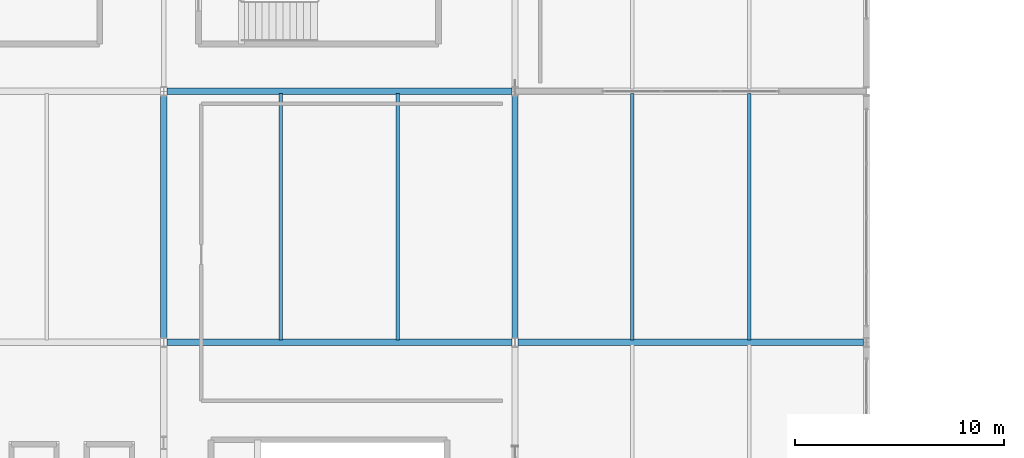
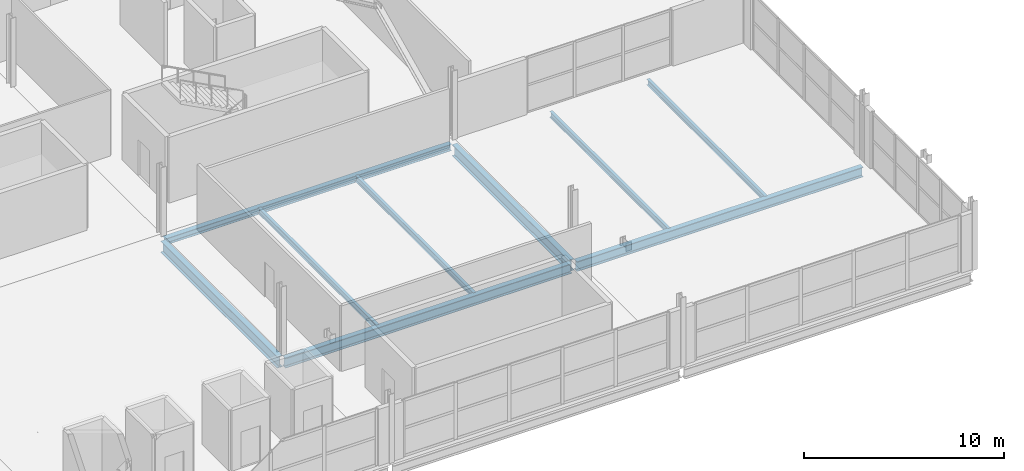
# One storey, part 18 of 39: 9 beams.
"""IFC4 building model written with IfcOpenShell, lengths in metres."""

from ifc_helpers import new_model, si_unit, direction, frame, origin, origin_2d, place, context, subcontext, project, spatial, i_section, extrude, material, material_profile, profile_set, type_object, element, save


model = new_model("IFC4")

# Units and contexts
model_context = context("Model", 3, precision=1e-05, world=origin(), true_north=direction((0.0, 1.0)))
body_context = subcontext(model_context, "Body", "Model", "MODEL_VIEW")
ifc_project = project(units=[si_unit("LENGTHUNIT", "METRE"), si_unit("AREAUNIT", "SQUARE_METRE"), si_unit("VOLUMEUNIT", "CUBIC_METRE"), si_unit("PLANEANGLEUNIT", "RADIAN"), si_unit("MASSUNIT", "GRAM", prefix="KILO")], contexts=[model_context])

# Site, building, storey
site_placement = place(None, origin())
site = spatial("IfcSite", under=ifc_project, at=site_placement, CompositionType="ELEMENT")
building_placement = place(site_placement, origin())
building = spatial("IfcBuilding", under=site, at=building_placement, Name="Kimbaza Rail Terminus", CompositionType="ELEMENT")
storey_placement = place(building_placement, frame((0.0, 0.0, 16.800048828125)))
storey = spatial("IfcBuildingStorey", under=building, at=storey_placement, Name="L03", CompositionType="ELEMENT", Elevation=16.800048828125)

# Beams
ifc_material_1 = material(Name="Steel S355", Category="steel")
ifc_material_profile_1 = material_profile(ifc_material_1, i_section(OverallWidth=0.300048828125, OverallDepth=0.389892578125, WebThickness=0.010986328125, FlangeThickness=0.01904296875, FilletRadius=0.027099609375, at=origin_2d()), Name="HEA 400")
ifc_profile_set_1 = profile_set([ifc_material_profile_1], Name="Steel S355")
beam_type_1 = type_object("IfcBeamType", Name="STR-BM-HEA400", PredefinedType="SPANDREL", material=ifc_profile_set_1)
beam_placement = place(storey_placement, frame((122.5458984375, 103.0, -0.47509765625), z_axis=(1.0, 0.0, 0.0), x_axis=(0.0, 1.0, 0.0)))
element("IfcBeam", 1, at=beam_placement, inside=storey, type_object=beam_type_1, Name="Operations Girder L03 X4-Y0", PredefinedType="SPANDREL", context=body_context, shape_type="SweptSolid", body=[
    extrude(i_section(OverallWidth=0.300048828125, OverallDepth=0.389892578125, WebThickness=0.010986328125, FlangeThickness=0.01904296875, FilletRadius=0.027099609375, at=origin_2d()), origin(), (0.0, 0.0, 1.0), 16.508056640625),
])
ifc_material_2 = material(Name="Steel S355", Category="steel")
ifc_material_profile_2 = material_profile(ifc_material_2, i_section(OverallWidth=0.300048828125, OverallDepth=0.60009765625, WebThickness=0.015380859375, FlangeThickness=0.030029296875, FilletRadius=0.027099609375, at=origin_2d()), Name="HEB 600")
ifc_profile_set_2 = profile_set([ifc_material_profile_2], Name="Steel S355")
beam_type_2 = type_object("IfcBeamType", Name="STR-BM-HEB600", PredefinedType="BEAM", material=ifc_profile_set_2)
for number, where, z_axis, x_axis, name in (
    (2, (122.5458984375, 91.0, -0.580078125), (1.0, 0.0, 0.0), (0.0, 1.0, 0.0), "Beam BM-BRGX-91-3"),
    (3, (139.345947265625, 91.0, -0.580078125), (1.0, 0.0, 0.0), (0.0, 1.0, 0.0), "Beam BM-BRGX-91-4"),
):
    element("IfcBeam", number, at=place(storey_placement, frame(where, z_axis=z_axis, x_axis=x_axis)), inside=storey, type_object=beam_type_2, Name=name, PredefinedType="BEAM", context=body_context, shape_type="SweptSolid", body=[
        extrude(i_section(OverallWidth=0.300048828125, OverallDepth=0.60009765625, WebThickness=0.015380859375, FlangeThickness=0.030029296875, FilletRadius=0.027099609375, at=origin_2d()), origin(), (0.0, 0.0, 1.0), 16.508056640625),
    ])
ifc_material_3 = material(Name="Steel S355", Category="steel")
ifc_material_profile_3 = material_profile(ifc_material_3, i_section(OverallWidth=0.300048828125, OverallDepth=0.699951171875, WebThickness=0.01708984375, FlangeThickness=0.031982421875, FilletRadius=0.027099609375, at=origin_2d()), Name="HEB 700")
ifc_profile_set_3 = profile_set([ifc_material_profile_3], Name="Steel S355")
beam_type_3 = type_object("IfcBeamType", Name="STR-BM-HEB700", PredefinedType="USERDEFINED", material=ifc_profile_set_3)
for number, where, z_axis, x_axis, name in (
    (4, (122.39990234375, 91.175048828125, -0.630126953125), (0.0, 1.0, 0.0), (-1.0, 0.0, 0.0), "Beam BM-BRGY-122-91"),
    (5, (139.199951171875, 91.175048828125, -0.630126953125), (0.0, 1.0, 0.0), (-1.0, 0.0, 0.0), "Beam BM-BRGY-139-91"),
):
    element("IfcBeam", number, at=place(storey_placement, frame(where, z_axis=z_axis, x_axis=x_axis)), inside=storey, type_object=beam_type_3, Name=name, ObjectType="GIRDER", PredefinedType="USERDEFINED", context=body_context, shape_type="SweptSolid", body=[
        extrude(i_section(OverallWidth=0.300048828125, OverallDepth=0.699951171875, WebThickness=0.01708984375, FlangeThickness=0.031982421875, FilletRadius=0.027099609375, at=origin_2d()), origin(), (0.0, 0.0, 1.0), 11.64990234375),
    ])
ifc_material_4 = material(Name="Steel S355", Category="steel")
ifc_material_profile_4 = material_profile(ifc_material_4, i_section(OverallWidth=0.169921875, OverallDepth=0.360107421875, WebThickness=0.008056640625, FlangeThickness=0.0126953125, FilletRadius=0.01806640625, at=origin_2d()), Name="IPE 360")
ifc_profile_set_4 = profile_set([ifc_material_profile_4], Name="Steel S355")
beam_type_4 = type_object("IfcBeamType", Name="STR-BM-IPE360", PredefinedType="JOIST", material=ifc_profile_set_4)
for number, where, z_axis, x_axis, name in (
    (6, (128.0, 91.10009765625, -0.4599609375), (0.0, 1.0, 0.0), (-1.0, 0.0, 0.0), "Beam JST-BRG-L03-3-1-91"),
    (7, (133.60009765625, 91.10009765625, -0.4599609375), (0.0, 1.0, 0.0), (-1.0, 0.0, 0.0), "Beam JST-BRG-L03-3-2-91"),
    (8, (144.800048828125, 91.10009765625, -0.4599609375), (0.0, 1.0, 0.0), (-1.0, 0.0, 0.0), "Beam JST-BRG-L03-4-1-91"),
    (9, (150.39990234375, 91.10009765625, -0.4599609375), (0.0, 1.0, 0.0), (-1.0, 0.0, 0.0), "Beam JST-BRG-L03-4-2-91"),
):
    element("IfcBeam", number, at=place(storey_placement, frame(where, z_axis=z_axis, x_axis=x_axis)), inside=storey, type_object=beam_type_4, Name=name, PredefinedType="JOIST", context=body_context, shape_type="SweptSolid", body=[
        extrude(i_section(OverallWidth=0.169921875, OverallDepth=0.360107421875, WebThickness=0.008056640625, FlangeThickness=0.0126953125, FilletRadius=0.01806640625, at=origin_2d()), origin(), (0.0, 0.0, 1.0), 11.7998046875),
    ])

save(model, "model.ifc")
